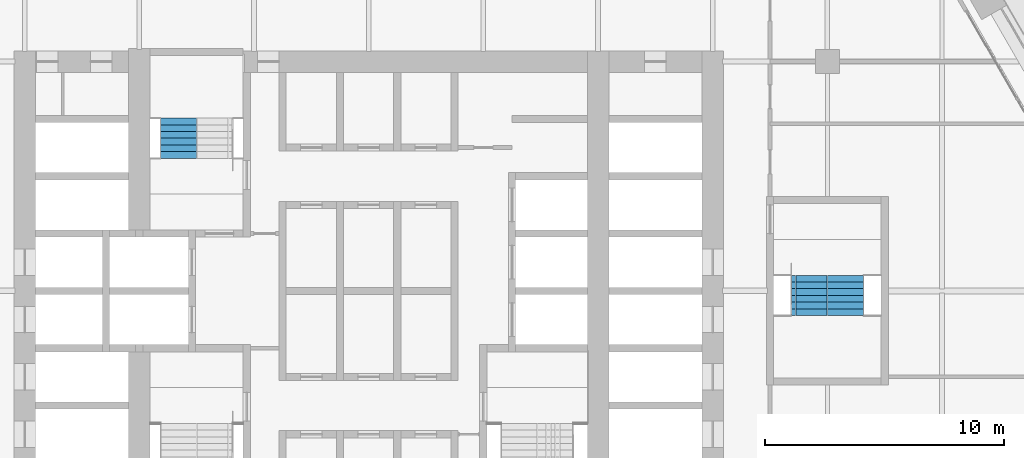
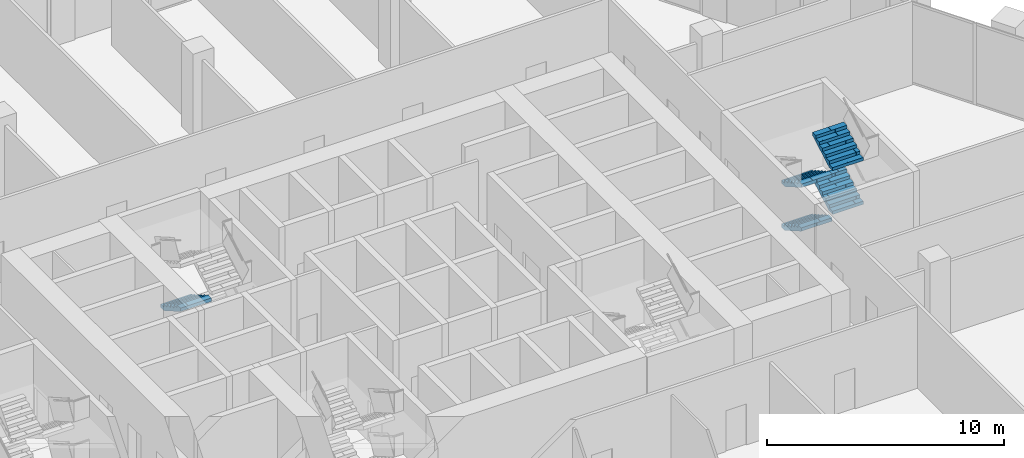
# One storey, part 22 of 27: 5 stair flights, 2 elements without a shape of their own.
"""IFC4 building model written with IfcOpenShell, lengths in metres."""

from ifc_helpers import new_model, si_unit, direction, frame, origin, place, context, subcontext, project, spatial, polyline, outline, extrude, material, type_object, element, aggregate, save


model = new_model("IFC4")

# Units and contexts
model_context = context("Model", 3, precision=1e-05, world=origin(), true_north=direction((0.0, 1.0)))
body_context = subcontext(model_context, "Body", "Model", "MODEL_VIEW")
ifc_project = project(units=[si_unit("LENGTHUNIT", "METRE"), si_unit("AREAUNIT", "SQUARE_METRE"), si_unit("VOLUMEUNIT", "CUBIC_METRE"), si_unit("PLANEANGLEUNIT", "RADIAN"), si_unit("MASSUNIT", "GRAM", prefix="KILO")], contexts=[model_context])

# Site, building, storey
site_placement = place(None, origin())
site = spatial("IfcSite", under=ifc_project, at=site_placement, CompositionType="ELEMENT")
building_placement = place(site_placement, origin())
building = spatial("IfcBuilding", under=site, at=building_placement, Name="Kolab Exchange Tower", CompositionType="ELEMENT")
storey_placement = place(building_placement, frame((0.0, 0.0, 118.39990234375)))
storey = spatial("IfcBuildingStorey", under=building, at=storey_placement, Name="L23", CompositionType="ELEMENT", Elevation=118.39990234375)

# Stair, stair flight
ifc_material = material(Name="Concrete C50/60", Category="concrete")
stair_type_1 = type_object("IfcStairType", Name="STAIR ST1 RISER 160.7", PredefinedType="DOUBLE_RETURN_STAIR", material=ifc_material)
stair_1_placement = place(storey_placement, origin())
stair_1 = element("IfcStair", 1, at=stair_1_placement, inside=storey, type_object=stair_type_1, Name="Stair 1", PredefinedType="DOUBLE_RETURN_STAIR")
stair_flight_type = type_object("IfcStairFlightType", Name="STAIR FLIGHT 1500 RISER 160.7", PredefinedType="STRAIGHT", material=ifc_material)
stair_flight_1_placement = place(storey_placement, frame((-7.9599609375, 7.22998046875, 1.125), z_axis=(0.0, 0.0, 1.0), x_axis=(0.0, -1.0, 0.0)))
stair_flight_1 = element("IfcStairFlight", 2, at=stair_flight_1_placement, type_object=stair_flight_type, Name="ST1 flight 2", NumberOfRisers=7, NumberOfTreads=6, PredefinedType="STRAIGHT", RiserHeight=0.160714286, TreadLength=0.28, context=body_context, shape_type="SweptSolid", body=[
    extrude(outline(polyline([(0.0, 0.0), (0.0, 0.16064453125), (0.280029296875, 0.16064453125), (0.280029296875, 0.321533203125), (0.56005859375, 0.321533203125), (0.56005859375, 0.482177734375), (0.840087890625, 0.482177734375), (0.840087890625, 0.642822265625), (1.1201171875, 0.642822265625), (1.1201171875, 0.803466796875), (1.39990234375, 0.803466796875), (1.39990234375, 0.96435546875), (1.679931640625, 0.96435546875), (1.679931640625, 1.125), (1.679931640625, 0.79150390625), (0.301025390625, 0.0), (0.0, 0.0)])), frame((0.0, 0.75, 0.0), z_axis=(0.0, -1.0, 0.0), x_axis=(1.0, 0.0, 0.0)), (0.0, 0.0, 1.0), 0.185791015625),
    extrude(outline(polyline([(0.0, 0.0), (0.0, 0.16064453125), (0.280029296875, 0.16064453125), (0.280029296875, 0.321533203125), (0.56005859375, 0.321533203125), (0.56005859375, 0.482177734375), (0.840087890625, 0.482177734375), (0.840087890625, 0.642822265625), (1.1201171875, 0.642822265625), (1.1201171875, 0.803466796875), (1.39990234375, 0.803466796875), (1.39990234375, 0.96435546875), (1.679931640625, 0.96435546875), (1.679931640625, 1.125), (1.679931640625, 0.79150390625), (0.301025390625, 0.0), (0.0, 0.0)])), frame((0.0, 0.562255859375, 0.0), z_axis=(0.0, -1.0, 0.0), x_axis=(1.0, 0.0, 0.0)), (0.0, 0.0, 1.0), 0.185791015625),
    extrude(outline(polyline([(0.0, 0.0), (0.0, 0.16064453125), (0.280029296875, 0.16064453125), (0.280029296875, 0.321533203125), (0.56005859375, 0.321533203125), (0.56005859375, 0.482177734375), (0.840087890625, 0.482177734375), (0.840087890625, 0.642822265625), (1.1201171875, 0.642822265625), (1.1201171875, 0.803466796875), (1.39990234375, 0.803466796875), (1.39990234375, 0.96435546875), (1.679931640625, 0.96435546875), (1.679931640625, 1.125), (1.679931640625, 0.79150390625), (0.301025390625, 0.0), (0.0, 0.0)])), frame((0.0, 0.37451171875, 0.0), z_axis=(0.0, -1.0, 0.0), x_axis=(1.0, 0.0, 0.0)), (0.0, 0.0, 1.0), 0.185791015625),
    extrude(outline(polyline([(0.0, 0.0), (0.0, 0.16064453125), (0.280029296875, 0.16064453125), (0.280029296875, 0.321533203125), (0.56005859375, 0.321533203125), (0.56005859375, 0.482177734375), (0.840087890625, 0.482177734375), (0.840087890625, 0.642822265625), (1.1201171875, 0.642822265625), (1.1201171875, 0.803466796875), (1.39990234375, 0.803466796875), (1.39990234375, 0.96435546875), (1.679931640625, 0.96435546875), (1.679931640625, 1.125), (1.679931640625, 0.79150390625), (0.301025390625, 0.0), (0.0, 0.0)])), frame((0.0, 0.186767578125, 0.0), z_axis=(0.0, -1.0, 0.0), x_axis=(1.0, 0.0, 0.0)), (0.0, 0.0, 1.0), 0.185791015625),
    extrude(outline(polyline([(0.0, 0.0), (0.0, 0.16064453125), (0.280029296875, 0.16064453125), (0.280029296875, 0.321533203125), (0.56005859375, 0.321533203125), (0.56005859375, 0.482177734375), (0.840087890625, 0.482177734375), (0.840087890625, 0.642822265625), (1.1201171875, 0.642822265625), (1.1201171875, 0.803466796875), (1.39990234375, 0.803466796875), (1.39990234375, 0.96435546875), (1.679931640625, 0.96435546875), (1.679931640625, 1.125), (1.679931640625, 0.79150390625), (0.301025390625, 0.0), (0.0, 0.0)])), frame((0.0, -0.0009765625, 0.0), z_axis=(0.0, -1.0, 0.0), x_axis=(1.0, 0.0, 0.0)), (0.0, 0.0, 1.0), 0.185791015625),
    extrude(outline(polyline([(0.0, 0.0), (0.0, 0.16064453125), (0.280029296875, 0.16064453125), (0.280029296875, 0.321533203125), (0.56005859375, 0.321533203125), (0.56005859375, 0.482177734375), (0.840087890625, 0.482177734375), (0.840087890625, 0.642822265625), (1.1201171875, 0.642822265625), (1.1201171875, 0.803466796875), (1.39990234375, 0.803466796875), (1.39990234375, 0.96435546875), (1.679931640625, 0.96435546875), (1.679931640625, 1.125), (1.679931640625, 0.79150390625), (0.301025390625, 0.0), (0.0, 0.0)])), frame((0.0, -0.188720703125, 0.0), z_axis=(0.0, -1.0, 0.0), x_axis=(1.0, 0.0, 0.0)), (0.0, 0.0, 1.0), 0.185791015625),
    extrude(outline(polyline([(0.0, 0.0), (0.0, 0.16064453125), (0.280029296875, 0.16064453125), (0.280029296875, 0.321533203125), (0.56005859375, 0.321533203125), (0.56005859375, 0.482177734375), (0.840087890625, 0.482177734375), (0.840087890625, 0.642822265625), (1.1201171875, 0.642822265625), (1.1201171875, 0.803466796875), (1.39990234375, 0.803466796875), (1.39990234375, 0.96435546875), (1.679931640625, 0.96435546875), (1.679931640625, 1.125), (1.679931640625, 0.79150390625), (0.301025390625, 0.0), (0.0, 0.0)])), frame((0.0, -0.37646484375, 0.0), z_axis=(0.0, -1.0, 0.0), x_axis=(1.0, 0.0, 0.0)), (0.0, 0.0, 1.0), 0.185791015625),
    extrude(outline(polyline([(0.0, 0.0), (0.0, 0.16064453125), (0.280029296875, 0.16064453125), (0.280029296875, 0.321533203125), (0.56005859375, 0.321533203125), (0.56005859375, 0.482177734375), (0.840087890625, 0.482177734375), (0.840087890625, 0.642822265625), (1.1201171875, 0.642822265625), (1.1201171875, 0.803466796875), (1.39990234375, 0.803466796875), (1.39990234375, 0.96435546875), (1.679931640625, 0.96435546875), (1.679931640625, 1.125), (1.679931640625, 0.79150390625), (0.301025390625, 0.0), (0.0, 0.0)])), frame((0.0, -0.564208984375, 0.0), z_axis=(0.0, -1.0, 0.0), x_axis=(1.0, 0.0, 0.0)), (0.0, 0.0, 1.0), 0.185791015625),
])
aggregate(stair_1, [stair_flight_1])

# Stair, stair flights
stair_type_2 = type_object("IfcStairType", Name="STAIR ST4 RISER 160.7", PredefinedType="DOUBLE_RETURN_STAIR", material=ifc_material)
stair_2_placement = place(storey_placement, origin())
stair_2 = element("IfcStair", 3, at=stair_2_placement, inside=storey, type_object=stair_type_2, Name="Stair 4", PredefinedType="DOUBLE_RETURN_STAIR")
stair_flight_2_placement = place(storey_placement, frame((18.43994140625, 0.64990234375, 0.0), z_axis=(0.0, 0.0, 1.0), x_axis=(0.0, -1.0, 0.0)))
stair_flight_2 = element("IfcStairFlight", 4, at=stair_flight_2_placement, type_object=stair_flight_type, Name="ST4 flight 1", NumberOfRisers=7, NumberOfTreads=6, PredefinedType="STRAIGHT", RiserHeight=0.160714286, TreadLength=0.28, context=body_context, shape_type="SweptSolid", body=[
    extrude(outline(polyline([(0.0, 0.0), (0.0, 0.16064453125), (0.280029296875, 0.16064453125), (0.280029296875, 0.321533203125), (0.56005859375, 0.321533203125), (0.56005859375, 0.482177734375), (0.840087890625, 0.482177734375), (0.840087890625, 0.642822265625), (1.1201171875, 0.642822265625), (1.1201171875, 0.803466796875), (1.39990234375, 0.803466796875), (1.39990234375, 0.96435546875), (1.679931640625, 0.96435546875), (1.679931640625, 1.125), (1.679931640625, 0.79150390625), (0.301025390625, 0.0), (0.0, 0.0)])), frame((0.0, 0.75, 0.0), z_axis=(0.0, -1.0, 0.0), x_axis=(1.0, 0.0, 0.0)), (0.0, 0.0, 1.0), 0.185791015625),
    extrude(outline(polyline([(0.0, 0.0), (0.0, 0.16064453125), (0.280029296875, 0.16064453125), (0.280029296875, 0.321533203125), (0.56005859375, 0.321533203125), (0.56005859375, 0.482177734375), (0.840087890625, 0.482177734375), (0.840087890625, 0.642822265625), (1.1201171875, 0.642822265625), (1.1201171875, 0.803466796875), (1.39990234375, 0.803466796875), (1.39990234375, 0.96435546875), (1.679931640625, 0.96435546875), (1.679931640625, 1.125), (1.679931640625, 0.79150390625), (0.301025390625, 0.0), (0.0, 0.0)])), frame((0.0, 0.562255859375, 0.0), z_axis=(0.0, -1.0, 0.0), x_axis=(1.0, 0.0, 0.0)), (0.0, 0.0, 1.0), 0.185791015625),
    extrude(outline(polyline([(0.0, 0.0), (0.0, 0.16064453125), (0.280029296875, 0.16064453125), (0.280029296875, 0.321533203125), (0.56005859375, 0.321533203125), (0.56005859375, 0.482177734375), (0.840087890625, 0.482177734375), (0.840087890625, 0.642822265625), (1.1201171875, 0.642822265625), (1.1201171875, 0.803466796875), (1.39990234375, 0.803466796875), (1.39990234375, 0.96435546875), (1.679931640625, 0.96435546875), (1.679931640625, 1.125), (1.679931640625, 0.79150390625), (0.301025390625, 0.0), (0.0, 0.0)])), frame((0.0, 0.37451171875, 0.0), z_axis=(0.0, -1.0, 0.0), x_axis=(1.0, 0.0, 0.0)), (0.0, 0.0, 1.0), 0.185791015625),
    extrude(outline(polyline([(0.0, 0.0), (0.0, 0.16064453125), (0.280029296875, 0.16064453125), (0.280029296875, 0.321533203125), (0.56005859375, 0.321533203125), (0.56005859375, 0.482177734375), (0.840087890625, 0.482177734375), (0.840087890625, 0.642822265625), (1.1201171875, 0.642822265625), (1.1201171875, 0.803466796875), (1.39990234375, 0.803466796875), (1.39990234375, 0.96435546875), (1.679931640625, 0.96435546875), (1.679931640625, 1.125), (1.679931640625, 0.79150390625), (0.301025390625, 0.0), (0.0, 0.0)])), frame((0.0, 0.186767578125, 0.0), z_axis=(0.0, -1.0, 0.0), x_axis=(1.0, 0.0, 0.0)), (0.0, 0.0, 1.0), 0.185791015625),
    extrude(outline(polyline([(0.0, 0.0), (0.0, 0.16064453125), (0.280029296875, 0.16064453125), (0.280029296875, 0.321533203125), (0.56005859375, 0.321533203125), (0.56005859375, 0.482177734375), (0.840087890625, 0.482177734375), (0.840087890625, 0.642822265625), (1.1201171875, 0.642822265625), (1.1201171875, 0.803466796875), (1.39990234375, 0.803466796875), (1.39990234375, 0.96435546875), (1.679931640625, 0.96435546875), (1.679931640625, 1.125), (1.679931640625, 0.79150390625), (0.301025390625, 0.0), (0.0, 0.0)])), frame((0.0, -0.0009765625, 0.0), z_axis=(0.0, -1.0, 0.0), x_axis=(1.0, 0.0, 0.0)), (0.0, 0.0, 1.0), 0.185791015625),
    extrude(outline(polyline([(0.0, 0.0), (0.0, 0.16064453125), (0.280029296875, 0.16064453125), (0.280029296875, 0.321533203125), (0.56005859375, 0.321533203125), (0.56005859375, 0.482177734375), (0.840087890625, 0.482177734375), (0.840087890625, 0.642822265625), (1.1201171875, 0.642822265625), (1.1201171875, 0.803466796875), (1.39990234375, 0.803466796875), (1.39990234375, 0.96435546875), (1.679931640625, 0.96435546875), (1.679931640625, 1.125), (1.679931640625, 0.79150390625), (0.301025390625, 0.0), (0.0, 0.0)])), frame((0.0, -0.188720703125, 0.0), z_axis=(0.0, -1.0, 0.0), x_axis=(1.0, 0.0, 0.0)), (0.0, 0.0, 1.0), 0.185791015625),
    extrude(outline(polyline([(0.0, 0.0), (0.0, 0.16064453125), (0.280029296875, 0.16064453125), (0.280029296875, 0.321533203125), (0.56005859375, 0.321533203125), (0.56005859375, 0.482177734375), (0.840087890625, 0.482177734375), (0.840087890625, 0.642822265625), (1.1201171875, 0.642822265625), (1.1201171875, 0.803466796875), (1.39990234375, 0.803466796875), (1.39990234375, 0.96435546875), (1.679931640625, 0.96435546875), (1.679931640625, 1.125), (1.679931640625, 0.79150390625), (0.301025390625, 0.0), (0.0, 0.0)])), frame((0.0, -0.37646484375, 0.0), z_axis=(0.0, -1.0, 0.0), x_axis=(1.0, 0.0, 0.0)), (0.0, 0.0, 1.0), 0.185791015625),
    extrude(outline(polyline([(0.0, 0.0), (0.0, 0.16064453125), (0.280029296875, 0.16064453125), (0.280029296875, 0.321533203125), (0.56005859375, 0.321533203125), (0.56005859375, 0.482177734375), (0.840087890625, 0.482177734375), (0.840087890625, 0.642822265625), (1.1201171875, 0.642822265625), (1.1201171875, 0.803466796875), (1.39990234375, 0.803466796875), (1.39990234375, 0.96435546875), (1.679931640625, 0.96435546875), (1.679931640625, 1.125), (1.679931640625, 0.79150390625), (0.301025390625, 0.0), (0.0, 0.0)])), frame((0.0, -0.564208984375, 0.0), z_axis=(0.0, -1.0, 0.0), x_axis=(1.0, 0.0, 0.0)), (0.0, 0.0, 1.0), 0.185791015625),
])
stair_flight_3_placement = place(storey_placement, frame((19.9599609375, -1.030029296875, 1.125), z_axis=(0.0, 0.0, 1.0), x_axis=(0.0, 1.0, 0.0)))
stair_flight_3 = element("IfcStairFlight", 5, at=stair_flight_3_placement, type_object=stair_flight_type, Name="ST4 flight 2", NumberOfRisers=7, NumberOfTreads=6, PredefinedType="STRAIGHT", RiserHeight=0.160714286, TreadLength=0.28, context=body_context, shape_type="SweptSolid", body=[
    extrude(outline(polyline([(0.0, 0.0), (0.0, 0.16064453125), (0.280029296875, 0.16064453125), (0.280029296875, 0.321533203125), (0.56005859375, 0.321533203125), (0.56005859375, 0.482177734375), (0.840087890625, 0.482177734375), (0.840087890625, 0.642822265625), (1.1201171875, 0.642822265625), (1.1201171875, 0.803466796875), (1.39990234375, 0.803466796875), (1.39990234375, 0.96435546875), (1.679931640625, 0.96435546875), (1.679931640625, 1.125), (1.679931640625, 0.79150390625), (0.301025390625, 0.0), (0.0, 0.0)])), frame((0.0, 0.75, 0.0), z_axis=(0.0, -1.0, 0.0), x_axis=(1.0, 0.0, 0.0)), (0.0, 0.0, 1.0), 0.185791015625),
    extrude(outline(polyline([(0.0, 0.0), (0.0, 0.16064453125), (0.280029296875, 0.16064453125), (0.280029296875, 0.321533203125), (0.56005859375, 0.321533203125), (0.56005859375, 0.482177734375), (0.840087890625, 0.482177734375), (0.840087890625, 0.642822265625), (1.1201171875, 0.642822265625), (1.1201171875, 0.803466796875), (1.39990234375, 0.803466796875), (1.39990234375, 0.96435546875), (1.679931640625, 0.96435546875), (1.679931640625, 1.125), (1.679931640625, 0.79150390625), (0.301025390625, 0.0), (0.0, 0.0)])), frame((0.0, 0.562255859375, 0.0), z_axis=(0.0, -1.0, 0.0), x_axis=(1.0, 0.0, 0.0)), (0.0, 0.0, 1.0), 0.185791015625),
    extrude(outline(polyline([(0.0, 0.0), (0.0, 0.16064453125), (0.280029296875, 0.16064453125), (0.280029296875, 0.321533203125), (0.56005859375, 0.321533203125), (0.56005859375, 0.482177734375), (0.840087890625, 0.482177734375), (0.840087890625, 0.642822265625), (1.1201171875, 0.642822265625), (1.1201171875, 0.803466796875), (1.39990234375, 0.803466796875), (1.39990234375, 0.96435546875), (1.679931640625, 0.96435546875), (1.679931640625, 1.125), (1.679931640625, 0.79150390625), (0.301025390625, 0.0), (0.0, 0.0)])), frame((0.0, 0.37451171875, 0.0), z_axis=(0.0, -1.0, 0.0), x_axis=(1.0, 0.0, 0.0)), (0.0, 0.0, 1.0), 0.185791015625),
    extrude(outline(polyline([(0.0, 0.0), (0.0, 0.16064453125), (0.280029296875, 0.16064453125), (0.280029296875, 0.321533203125), (0.56005859375, 0.321533203125), (0.56005859375, 0.482177734375), (0.840087890625, 0.482177734375), (0.840087890625, 0.642822265625), (1.1201171875, 0.642822265625), (1.1201171875, 0.803466796875), (1.39990234375, 0.803466796875), (1.39990234375, 0.96435546875), (1.679931640625, 0.96435546875), (1.679931640625, 1.125), (1.679931640625, 0.79150390625), (0.301025390625, 0.0), (0.0, 0.0)])), frame((0.0, 0.186767578125, 0.0), z_axis=(0.0, -1.0, 0.0), x_axis=(1.0, 0.0, 0.0)), (0.0, 0.0, 1.0), 0.185791015625),
    extrude(outline(polyline([(0.0, 0.0), (0.0, 0.16064453125), (0.280029296875, 0.16064453125), (0.280029296875, 0.321533203125), (0.56005859375, 0.321533203125), (0.56005859375, 0.482177734375), (0.840087890625, 0.482177734375), (0.840087890625, 0.642822265625), (1.1201171875, 0.642822265625), (1.1201171875, 0.803466796875), (1.39990234375, 0.803466796875), (1.39990234375, 0.96435546875), (1.679931640625, 0.96435546875), (1.679931640625, 1.125), (1.679931640625, 0.79150390625), (0.301025390625, 0.0), (0.0, 0.0)])), frame((0.0, -0.0009765625, 0.0), z_axis=(0.0, -1.0, 0.0), x_axis=(1.0, 0.0, 0.0)), (0.0, 0.0, 1.0), 0.185791015625),
    extrude(outline(polyline([(0.0, 0.0), (0.0, 0.16064453125), (0.280029296875, 0.16064453125), (0.280029296875, 0.321533203125), (0.56005859375, 0.321533203125), (0.56005859375, 0.482177734375), (0.840087890625, 0.482177734375), (0.840087890625, 0.642822265625), (1.1201171875, 0.642822265625), (1.1201171875, 0.803466796875), (1.39990234375, 0.803466796875), (1.39990234375, 0.96435546875), (1.679931640625, 0.96435546875), (1.679931640625, 1.125), (1.679931640625, 0.79150390625), (0.301025390625, 0.0), (0.0, 0.0)])), frame((0.0, -0.188720703125, 0.0), z_axis=(0.0, -1.0, 0.0), x_axis=(1.0, 0.0, 0.0)), (0.0, 0.0, 1.0), 0.185791015625),
    extrude(outline(polyline([(0.0, 0.0), (0.0, 0.16064453125), (0.280029296875, 0.16064453125), (0.280029296875, 0.321533203125), (0.56005859375, 0.321533203125), (0.56005859375, 0.482177734375), (0.840087890625, 0.482177734375), (0.840087890625, 0.642822265625), (1.1201171875, 0.642822265625), (1.1201171875, 0.803466796875), (1.39990234375, 0.803466796875), (1.39990234375, 0.96435546875), (1.679931640625, 0.96435546875), (1.679931640625, 1.125), (1.679931640625, 0.79150390625), (0.301025390625, 0.0), (0.0, 0.0)])), frame((0.0, -0.37646484375, 0.0), z_axis=(0.0, -1.0, 0.0), x_axis=(1.0, 0.0, 0.0)), (0.0, 0.0, 1.0), 0.185791015625),
    extrude(outline(polyline([(0.0, 0.0), (0.0, 0.16064453125), (0.280029296875, 0.16064453125), (0.280029296875, 0.321533203125), (0.56005859375, 0.321533203125), (0.56005859375, 0.482177734375), (0.840087890625, 0.482177734375), (0.840087890625, 0.642822265625), (1.1201171875, 0.642822265625), (1.1201171875, 0.803466796875), (1.39990234375, 0.803466796875), (1.39990234375, 0.96435546875), (1.679931640625, 0.96435546875), (1.679931640625, 1.125), (1.679931640625, 0.79150390625), (0.301025390625, 0.0), (0.0, 0.0)])), frame((0.0, -0.564208984375, 0.0), z_axis=(0.0, -1.0, 0.0), x_axis=(1.0, 0.0, 0.0)), (0.0, 0.0, 1.0), 0.185791015625),
])
stair_flight_4_placement = place(storey_placement, frame((18.43994140625, 0.64990234375, 2.25), z_axis=(0.0, 0.0, 1.0), x_axis=(0.0, -1.0, 0.0)))
stair_flight_4 = element("IfcStairFlight", 6, at=stair_flight_4_placement, type_object=stair_flight_type, Name="ST4 flight 3", NumberOfRisers=7, NumberOfTreads=6, PredefinedType="STRAIGHT", RiserHeight=0.160714286, TreadLength=0.28, context=body_context, shape_type="SweptSolid", body=[
    extrude(outline(polyline([(0.0, 0.0), (0.0, 0.16064453125), (0.280029296875, 0.16064453125), (0.280029296875, 0.321533203125), (0.56005859375, 0.321533203125), (0.56005859375, 0.482177734375), (0.840087890625, 0.482177734375), (0.840087890625, 0.642822265625), (1.1201171875, 0.642822265625), (1.1201171875, 0.803466796875), (1.39990234375, 0.803466796875), (1.39990234375, 0.96435546875), (1.679931640625, 0.96435546875), (1.679931640625, 1.125), (1.679931640625, 0.79150390625), (0.301025390625, 0.0), (0.0, 0.0)])), frame((0.0, 0.75, 0.0), z_axis=(0.0, -1.0, 0.0), x_axis=(1.0, 0.0, 0.0)), (0.0, 0.0, 1.0), 0.185791015625),
    extrude(outline(polyline([(0.0, 0.0), (0.0, 0.16064453125), (0.280029296875, 0.16064453125), (0.280029296875, 0.321533203125), (0.56005859375, 0.321533203125), (0.56005859375, 0.482177734375), (0.840087890625, 0.482177734375), (0.840087890625, 0.642822265625), (1.1201171875, 0.642822265625), (1.1201171875, 0.803466796875), (1.39990234375, 0.803466796875), (1.39990234375, 0.96435546875), (1.679931640625, 0.96435546875), (1.679931640625, 1.125), (1.679931640625, 0.79150390625), (0.301025390625, 0.0), (0.0, 0.0)])), frame((0.0, 0.562255859375, 0.0), z_axis=(0.0, -1.0, 0.0), x_axis=(1.0, 0.0, 0.0)), (0.0, 0.0, 1.0), 0.185791015625),
    extrude(outline(polyline([(0.0, 0.0), (0.0, 0.16064453125), (0.280029296875, 0.16064453125), (0.280029296875, 0.321533203125), (0.56005859375, 0.321533203125), (0.56005859375, 0.482177734375), (0.840087890625, 0.482177734375), (0.840087890625, 0.642822265625), (1.1201171875, 0.642822265625), (1.1201171875, 0.803466796875), (1.39990234375, 0.803466796875), (1.39990234375, 0.96435546875), (1.679931640625, 0.96435546875), (1.679931640625, 1.125), (1.679931640625, 0.79150390625), (0.301025390625, 0.0), (0.0, 0.0)])), frame((0.0, 0.37451171875, 0.0), z_axis=(0.0, -1.0, 0.0), x_axis=(1.0, 0.0, 0.0)), (0.0, 0.0, 1.0), 0.185791015625),
    extrude(outline(polyline([(0.0, 0.0), (0.0, 0.16064453125), (0.280029296875, 0.16064453125), (0.280029296875, 0.321533203125), (0.56005859375, 0.321533203125), (0.56005859375, 0.482177734375), (0.840087890625, 0.482177734375), (0.840087890625, 0.642822265625), (1.1201171875, 0.642822265625), (1.1201171875, 0.803466796875), (1.39990234375, 0.803466796875), (1.39990234375, 0.96435546875), (1.679931640625, 0.96435546875), (1.679931640625, 1.125), (1.679931640625, 0.79150390625), (0.301025390625, 0.0), (0.0, 0.0)])), frame((0.0, 0.186767578125, 0.0), z_axis=(0.0, -1.0, 0.0), x_axis=(1.0, 0.0, 0.0)), (0.0, 0.0, 1.0), 0.185791015625),
    extrude(outline(polyline([(0.0, 0.0), (0.0, 0.16064453125), (0.280029296875, 0.16064453125), (0.280029296875, 0.321533203125), (0.56005859375, 0.321533203125), (0.56005859375, 0.482177734375), (0.840087890625, 0.482177734375), (0.840087890625, 0.642822265625), (1.1201171875, 0.642822265625), (1.1201171875, 0.803466796875), (1.39990234375, 0.803466796875), (1.39990234375, 0.96435546875), (1.679931640625, 0.96435546875), (1.679931640625, 1.125), (1.679931640625, 0.79150390625), (0.301025390625, 0.0), (0.0, 0.0)])), frame((0.0, -0.0009765625, 0.0), z_axis=(0.0, -1.0, 0.0), x_axis=(1.0, 0.0, 0.0)), (0.0, 0.0, 1.0), 0.185791015625),
    extrude(outline(polyline([(0.0, 0.0), (0.0, 0.16064453125), (0.280029296875, 0.16064453125), (0.280029296875, 0.321533203125), (0.56005859375, 0.321533203125), (0.56005859375, 0.482177734375), (0.840087890625, 0.482177734375), (0.840087890625, 0.642822265625), (1.1201171875, 0.642822265625), (1.1201171875, 0.803466796875), (1.39990234375, 0.803466796875), (1.39990234375, 0.96435546875), (1.679931640625, 0.96435546875), (1.679931640625, 1.125), (1.679931640625, 0.79150390625), (0.301025390625, 0.0), (0.0, 0.0)])), frame((0.0, -0.188720703125, 0.0), z_axis=(0.0, -1.0, 0.0), x_axis=(1.0, 0.0, 0.0)), (0.0, 0.0, 1.0), 0.185791015625),
    extrude(outline(polyline([(0.0, 0.0), (0.0, 0.16064453125), (0.280029296875, 0.16064453125), (0.280029296875, 0.321533203125), (0.56005859375, 0.321533203125), (0.56005859375, 0.482177734375), (0.840087890625, 0.482177734375), (0.840087890625, 0.642822265625), (1.1201171875, 0.642822265625), (1.1201171875, 0.803466796875), (1.39990234375, 0.803466796875), (1.39990234375, 0.96435546875), (1.679931640625, 0.96435546875), (1.679931640625, 1.125), (1.679931640625, 0.79150390625), (0.301025390625, 0.0), (0.0, 0.0)])), frame((0.0, -0.37646484375, 0.0), z_axis=(0.0, -1.0, 0.0), x_axis=(1.0, 0.0, 0.0)), (0.0, 0.0, 1.0), 0.185791015625),
    extrude(outline(polyline([(0.0, 0.0), (0.0, 0.16064453125), (0.280029296875, 0.16064453125), (0.280029296875, 0.321533203125), (0.56005859375, 0.321533203125), (0.56005859375, 0.482177734375), (0.840087890625, 0.482177734375), (0.840087890625, 0.642822265625), (1.1201171875, 0.642822265625), (1.1201171875, 0.803466796875), (1.39990234375, 0.803466796875), (1.39990234375, 0.96435546875), (1.679931640625, 0.96435546875), (1.679931640625, 1.125), (1.679931640625, 0.79150390625), (0.301025390625, 0.0), (0.0, 0.0)])), frame((0.0, -0.564208984375, 0.0), z_axis=(0.0, -1.0, 0.0), x_axis=(1.0, 0.0, 0.0)), (0.0, 0.0, 1.0), 0.185791015625),
])
stair_flight_5_placement = place(storey_placement, frame((19.9599609375, -1.030029296875, 3.375), z_axis=(0.0, 0.0, 1.0), x_axis=(0.0, 1.0, 0.0)))
stair_flight_5 = element("IfcStairFlight", 7, at=stair_flight_5_placement, type_object=stair_flight_type, Name="ST4 flight 4", NumberOfRisers=7, NumberOfTreads=6, PredefinedType="STRAIGHT", RiserHeight=0.160714286, TreadLength=0.28, context=body_context, shape_type="SweptSolid", body=[
    extrude(outline(polyline([(0.0, 0.0), (0.0, 0.16064453125), (0.280029296875, 0.16064453125), (0.280029296875, 0.321533203125), (0.56005859375, 0.321533203125), (0.56005859375, 0.482177734375), (0.840087890625, 0.482177734375), (0.840087890625, 0.642822265625), (1.1201171875, 0.642822265625), (1.1201171875, 0.803466796875), (1.39990234375, 0.803466796875), (1.39990234375, 0.96435546875), (1.679931640625, 0.96435546875), (1.679931640625, 1.125), (1.679931640625, 0.79150390625), (0.301025390625, 0.0), (0.0, 0.0)])), frame((0.0, 0.75, 0.0), z_axis=(0.0, -1.0, 0.0), x_axis=(1.0, 0.0, 0.0)), (0.0, 0.0, 1.0), 0.185791015625),
    extrude(outline(polyline([(0.0, 0.0), (0.0, 0.16064453125), (0.280029296875, 0.16064453125), (0.280029296875, 0.321533203125), (0.56005859375, 0.321533203125), (0.56005859375, 0.482177734375), (0.840087890625, 0.482177734375), (0.840087890625, 0.642822265625), (1.1201171875, 0.642822265625), (1.1201171875, 0.803466796875), (1.39990234375, 0.803466796875), (1.39990234375, 0.96435546875), (1.679931640625, 0.96435546875), (1.679931640625, 1.125), (1.679931640625, 0.79150390625), (0.301025390625, 0.0), (0.0, 0.0)])), frame((0.0, 0.562255859375, 0.0), z_axis=(0.0, -1.0, 0.0), x_axis=(1.0, 0.0, 0.0)), (0.0, 0.0, 1.0), 0.185791015625),
    extrude(outline(polyline([(0.0, 0.0), (0.0, 0.16064453125), (0.280029296875, 0.16064453125), (0.280029296875, 0.321533203125), (0.56005859375, 0.321533203125), (0.56005859375, 0.482177734375), (0.840087890625, 0.482177734375), (0.840087890625, 0.642822265625), (1.1201171875, 0.642822265625), (1.1201171875, 0.803466796875), (1.39990234375, 0.803466796875), (1.39990234375, 0.96435546875), (1.679931640625, 0.96435546875), (1.679931640625, 1.125), (1.679931640625, 0.79150390625), (0.301025390625, 0.0), (0.0, 0.0)])), frame((0.0, 0.37451171875, 0.0), z_axis=(0.0, -1.0, 0.0), x_axis=(1.0, 0.0, 0.0)), (0.0, 0.0, 1.0), 0.185791015625),
    extrude(outline(polyline([(0.0, 0.0), (0.0, 0.16064453125), (0.280029296875, 0.16064453125), (0.280029296875, 0.321533203125), (0.56005859375, 0.321533203125), (0.56005859375, 0.482177734375), (0.840087890625, 0.482177734375), (0.840087890625, 0.642822265625), (1.1201171875, 0.642822265625), (1.1201171875, 0.803466796875), (1.39990234375, 0.803466796875), (1.39990234375, 0.96435546875), (1.679931640625, 0.96435546875), (1.679931640625, 1.125), (1.679931640625, 0.79150390625), (0.301025390625, 0.0), (0.0, 0.0)])), frame((0.0, 0.186767578125, 0.0), z_axis=(0.0, -1.0, 0.0), x_axis=(1.0, 0.0, 0.0)), (0.0, 0.0, 1.0), 0.185791015625),
    extrude(outline(polyline([(0.0, 0.0), (0.0, 0.16064453125), (0.280029296875, 0.16064453125), (0.280029296875, 0.321533203125), (0.56005859375, 0.321533203125), (0.56005859375, 0.482177734375), (0.840087890625, 0.482177734375), (0.840087890625, 0.642822265625), (1.1201171875, 0.642822265625), (1.1201171875, 0.803466796875), (1.39990234375, 0.803466796875), (1.39990234375, 0.96435546875), (1.679931640625, 0.96435546875), (1.679931640625, 1.125), (1.679931640625, 0.79150390625), (0.301025390625, 0.0), (0.0, 0.0)])), frame((0.0, -0.0009765625, 0.0), z_axis=(0.0, -1.0, 0.0), x_axis=(1.0, 0.0, 0.0)), (0.0, 0.0, 1.0), 0.185791015625),
    extrude(outline(polyline([(0.0, 0.0), (0.0, 0.16064453125), (0.280029296875, 0.16064453125), (0.280029296875, 0.321533203125), (0.56005859375, 0.321533203125), (0.56005859375, 0.482177734375), (0.840087890625, 0.482177734375), (0.840087890625, 0.642822265625), (1.1201171875, 0.642822265625), (1.1201171875, 0.803466796875), (1.39990234375, 0.803466796875), (1.39990234375, 0.96435546875), (1.679931640625, 0.96435546875), (1.679931640625, 1.125), (1.679931640625, 0.79150390625), (0.301025390625, 0.0), (0.0, 0.0)])), frame((0.0, -0.188720703125, 0.0), z_axis=(0.0, -1.0, 0.0), x_axis=(1.0, 0.0, 0.0)), (0.0, 0.0, 1.0), 0.185791015625),
    extrude(outline(polyline([(0.0, 0.0), (0.0, 0.16064453125), (0.280029296875, 0.16064453125), (0.280029296875, 0.321533203125), (0.56005859375, 0.321533203125), (0.56005859375, 0.482177734375), (0.840087890625, 0.482177734375), (0.840087890625, 0.642822265625), (1.1201171875, 0.642822265625), (1.1201171875, 0.803466796875), (1.39990234375, 0.803466796875), (1.39990234375, 0.96435546875), (1.679931640625, 0.96435546875), (1.679931640625, 1.125), (1.679931640625, 0.79150390625), (0.301025390625, 0.0), (0.0, 0.0)])), frame((0.0, -0.37646484375, 0.0), z_axis=(0.0, -1.0, 0.0), x_axis=(1.0, 0.0, 0.0)), (0.0, 0.0, 1.0), 0.185791015625),
    extrude(outline(polyline([(0.0, 0.0), (0.0, 0.16064453125), (0.280029296875, 0.16064453125), (0.280029296875, 0.321533203125), (0.56005859375, 0.321533203125), (0.56005859375, 0.482177734375), (0.840087890625, 0.482177734375), (0.840087890625, 0.642822265625), (1.1201171875, 0.642822265625), (1.1201171875, 0.803466796875), (1.39990234375, 0.803466796875), (1.39990234375, 0.96435546875), (1.679931640625, 0.96435546875), (1.679931640625, 1.125), (1.679931640625, 0.79150390625), (0.301025390625, 0.0), (0.0, 0.0)])), frame((0.0, -0.564208984375, 0.0), z_axis=(0.0, -1.0, 0.0), x_axis=(1.0, 0.0, 0.0)), (0.0, 0.0, 1.0), 0.185791015625),
])
aggregate(stair_2, [stair_flight_2, stair_flight_3, stair_flight_4, stair_flight_5])

save(model, "model.ifc")
